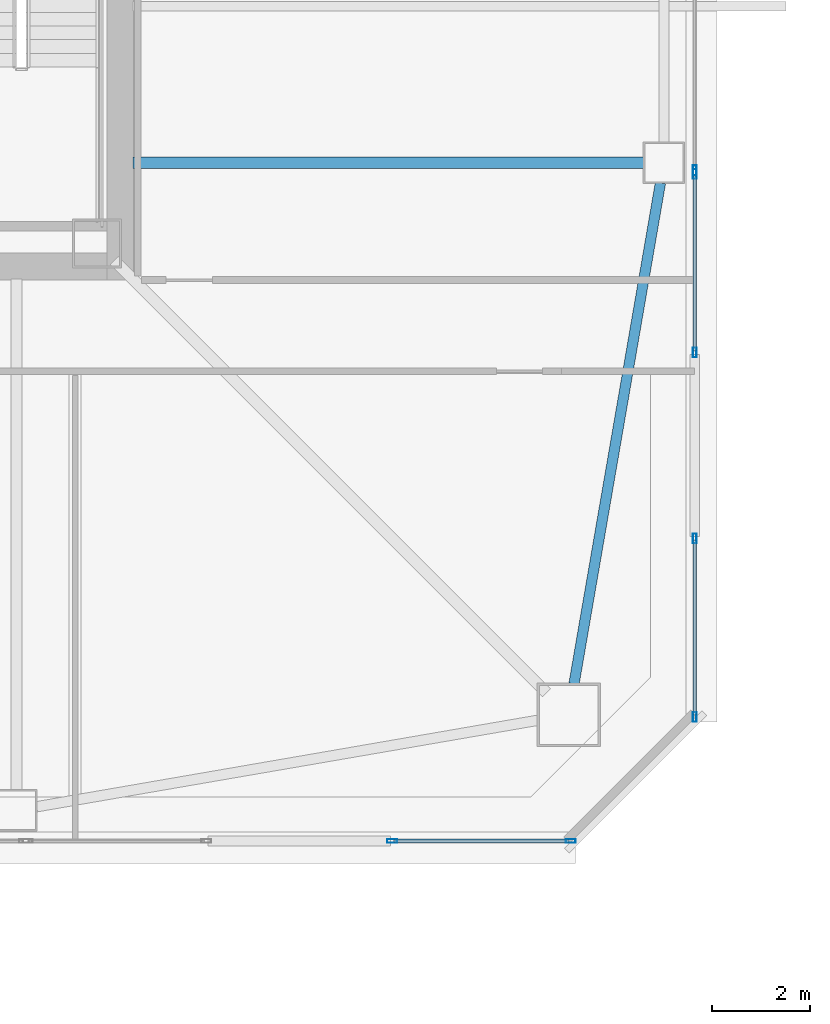
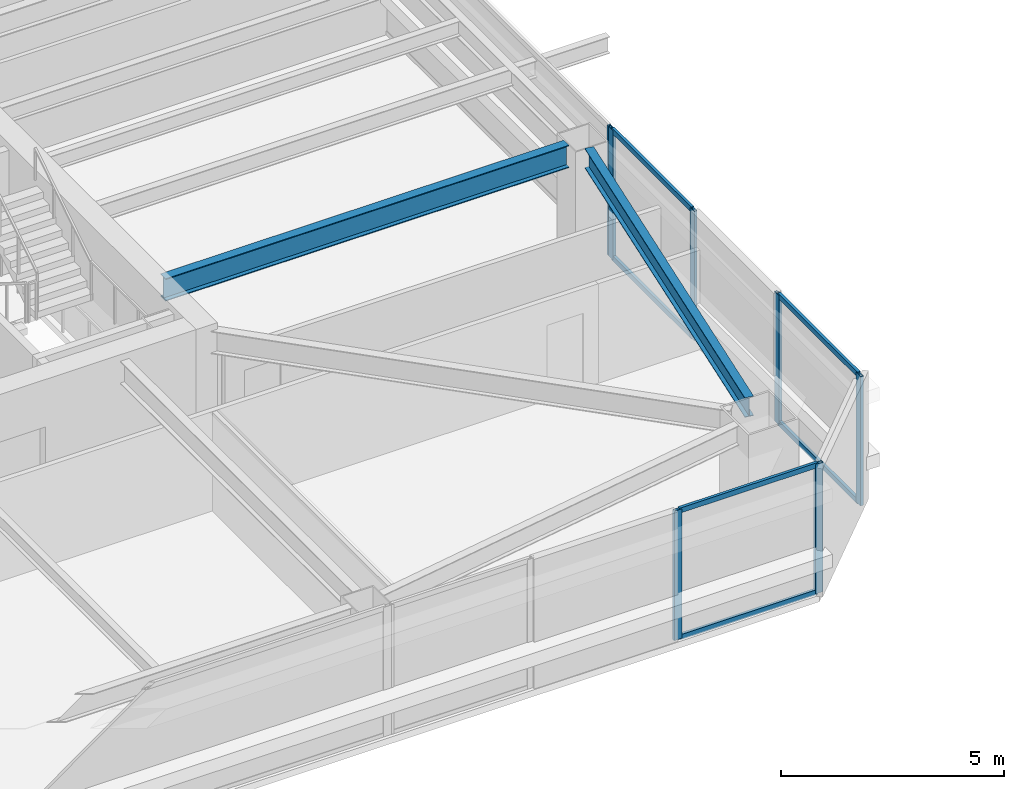
# One storey, part 10 of 46: 13 members, 2 beams, 4 elements without a shape of their own.
"""IFC4 building model written with IfcOpenShell, lengths in metres."""

import ifcopenshell
import ifcopenshell.guid

model = None  # the IFC model being written
_history = None  # IfcOwnerHistory: only IFC2X3 demands one
_inside = {}  # id of a spatial element -> (the spatial element, [elements in it])
_under = {}  # id of a project, library or spatial element -> (it, [spatial elements below it])
_declared = {}  # id of a project -> (the project, [libraries it declares])
_typed = {}  # id of a type object -> (the type object, [elements of that type])
_made_of = {}  # id of a material, layer set ... -> (it, [elements and type objects made of it])


def new_model(schema):
    """Start an empty IFC model of exactly this schema.

    Asked for "IFC4X3", IfcOpenShell would pick the latest addendum, in which some entities
    have other attributes; the version numbers below select the first issue.
    IFC2X3 requires an IfcOwnerHistory on every rooted entity: one is made here for all.
    """
    global model, _history
    if schema == "IFC4X3":
        model = ifcopenshell.file(schema_version=(4, 3, 0, 0))
    else:
        model = ifcopenshell.file(schema=schema)
    _inside.clear()
    _under.clear()
    _declared.clear()
    _typed.clear()
    _made_of.clear()
    _history = None
    if model.schema == "IFC2X3":
        org = make("IfcOrganization", Name="unknown")
        user = make(
            "IfcPersonAndOrganization",
            ThePerson=make("IfcPerson", FamilyName="unknown"),
            TheOrganization=org,
        )
        app = make(
            "IfcApplication",
            ApplicationDeveloper=org,
            Version="unknown",
            ApplicationFullName="unknown",
            ApplicationIdentifier="unknown",
        )
        _history = make(
            "IfcOwnerHistory",
            OwningUser=user,
            OwningApplication=app,
            ChangeAction="ADDED",
            CreationDate=0,
        )
    return model


def make(cls, **values):
    """One entity of the class cls with the attributes given. An attribute that is None is left unset."""
    return model.create_entity(
        cls, **{name: value for name, value in values.items() if value is not None}
    )


def rooted(cls, **values):
    """An entity with a GlobalId (a new one), such as an element, a storey or a relation."""
    return make(cls, GlobalId=ifcopenshell.guid.new(), OwnerHistory=_history, **values)


def si_unit(unit_type, name, prefix=None):
    """IfcSIUnit, for example si_unit("LENGTHUNIT", "METRE", prefix="MILLI")."""
    return make("IfcSIUnit", UnitType=unit_type, Prefix=prefix, Name=name)


def assignment(units):
    """IfcUnitAssignment: the units of a project."""
    return None if units is None else make("IfcUnitAssignment", Units=units)


def point(xyz):
    """IfcCartesianPoint."""
    return None if xyz is None else make("IfcCartesianPoint", Coordinates=xyz)


def direction(xyz):
    """IfcDirection."""
    return None if xyz is None else make("IfcDirection", DirectionRatios=xyz)


def frame(location, z_axis=None, x_axis=None):
    """IfcAxis2Placement3D, a coordinate frame: its origin and axes. An axis left out is left unset."""
    return make(
        "IfcAxis2Placement3D",
        Location=point(location),
        Axis=direction(z_axis),
        RefDirection=direction(x_axis),
    )


def frame_2d(location, x_axis=None):
    """IfcAxis2Placement2D, a coordinate frame in the plane: its origin and x axis."""
    return make(
        "IfcAxis2Placement2D", Location=point(location), RefDirection=direction(x_axis)
    )


def origin():
    """The frame at (0, 0, 0) with its axes left unset."""
    return frame((0.0, 0.0, 0.0))


def origin_2d():
    """The frame at (0, 0) in the plane with its x axis left unset."""
    return frame_2d((0.0, 0.0))


def place(relative_to, where):
    """IfcLocalPlacement: puts the frame where relative to a parent placement (None: the world)."""
    return make(
        "IfcLocalPlacement", PlacementRelTo=relative_to, RelativePlacement=where
    )


def context(
    kind, dimensions, precision=None, world=None, true_north=None, identifier=None
):
    """IfcGeometricRepresentationContext, for example the 3D "Model" context."""
    return make(
        "IfcGeometricRepresentationContext",
        ContextIdentifier=identifier,
        ContextType=kind,
        CoordinateSpaceDimension=dimensions,
        Precision=precision,
        WorldCoordinateSystem=world,
        TrueNorth=true_north,
    )


def subcontext(parent, identifier, kind, view, scale=None):
    """IfcGeometricRepresentationSubContext, for example "Body" below "Model"."""
    return make(
        "IfcGeometricRepresentationSubContext",
        ContextIdentifier=identifier,
        ContextType=kind,
        ParentContext=parent,
        TargetScale=scale,
        TargetView=view,
    )


def project(units=None, contexts=None):
    """IfcProject with its units and contexts."""
    return rooted(
        "IfcProject",
        Name="project",
        RepresentationContexts=contexts,
        UnitsInContext=assignment(units),
    )


def spatial(cls, under=None, at=None, **own):
    """A site, building, storey or space (cls), placed at a placement, below another one or the project."""
    s = rooted(cls, ObjectPlacement=at, **own)
    if under is not None:
        _under.setdefault(under.id(), (under, []))[1].append(s)
    return s


def profile(cls, at=None, kind="AREA", **sizes):
    """A parametric profile (cls). Its sizes go by their IFC names, for example OverallWidth=200.0."""
    return make(cls, ProfileType=kind, Position=at, **sizes)


def hollow_rectangle(**sizes):
    """IfcRectangleHollowProfileDef."""
    return profile("IfcRectangleHollowProfileDef", **sizes)


def i_section(**sizes):
    """IfcIShapeProfileDef."""
    return profile("IfcIShapeProfileDef", **sizes)


def extrude(swept, where, along, depth):
    """IfcExtrudedAreaSolid: the profile swept, set in the frame where, extruded along a direction by depth."""
    return make(
        "IfcExtrudedAreaSolid",
        SweptArea=swept,
        Position=where,
        ExtrudedDirection=direction(along),
        Depth=depth,
    )


def shape(context_of_items, identifier, shape_type, items):
    """IfcShapeRepresentation: the items that make up one representation, for example the "Body"."""
    return make(
        "IfcShapeRepresentation",
        ContextOfItems=context_of_items,
        RepresentationIdentifier=identifier,
        RepresentationType=shape_type,
        Items=items,
    )


def material(Name=None, Category=None):
    """IfcMaterial."""
    return make("IfcMaterial", Name=Name, Category=Category)


def material_profile(
    of_material, cross_section, Name=None, Category=None, Priority=None
):
    """IfcMaterialProfile: a cross section and its material."""
    return make(
        "IfcMaterialProfile",
        Name=Name,
        Material=of_material,
        Profile=cross_section,
        Priority=Priority,
        Category=Category,
    )


def profile_set(profiles, Name=None, composite=None):
    """IfcMaterialProfileSet."""
    return make(
        "IfcMaterialProfileSet",
        Name=Name,
        MaterialProfiles=profiles,
        CompositeProfile=composite,
    )


def made_of(thing, what):
    """Note that an element or type object is made of a material, layer set ...; save() writes the relation."""
    if what is not None:
        _made_of.setdefault(what.id(), (what, []))[1].append(thing)
    return thing


def type_object(cls, material=None, **own):
    """A type object (cls), such as IfcWallType, which elements share."""
    return made_of(rooted(cls, **own), material)


def element(
    cls,
    number,
    at=None,
    inside=None,
    cuts=None,
    type_object=None,
    material=None,
    context=None,
    identifier="Body",
    shape_type=None,
    held_by="IfcProductDefinitionShape",
    body=None,
    shapes=None,
    **own,
):
    """One element of the class cls, such as IfcWall. Its Tag is "e" and its number.

    at: its placement. inside: the storey or other place that contains it. cuts: it is an
    opening in that element (IfcRelVoidsElement). A single representation is given by context,
    identifier, shape_type and body (its items); several are given by shapes. held_by: the class
    of the entity that holds the representations. save() writes the other relations.
    """
    e = rooted(cls, Tag="e%d" % number, ObjectPlacement=at, **own)
    if body is not None:
        shapes = [shape(context, identifier, shape_type, body)]
    if shapes is not None:
        e.Representation = make(held_by, Representations=shapes)
    if inside is not None:
        _inside.setdefault(inside.id(), (inside, []))[1].append(e)
    if cuts is not None:
        rooted(
            "IfcRelVoidsElement", RelatingBuildingElement=cuts, RelatedOpeningElement=e
        )
    if type_object is not None:
        _typed.setdefault(type_object.id(), (type_object, []))[1].append(e)
    return made_of(e, material)


def aggregate(whole, parts):
    """IfcRelAggregates: a whole, such as a stair, and the parts it consists of."""
    return rooted("IfcRelAggregates", RelatingObject=whole, RelatedObjects=parts)


def save(model, path):
    """Write the relations noted so far, then the file.

    IfcRelAggregates (storeys below a building ...), IfcRelContainedInSpatialStructure (elements
    in a storey), IfcRelDefinesByType, IfcRelAssociatesMaterial and IfcRelDeclares: one each for
    every whole, place, type object, material and project.
    """
    for whole, parts in _under.values():
        aggregate(whole, parts)
    for where, things in _inside.values():
        rooted(
            "IfcRelContainedInSpatialStructure",
            RelatedElements=things,
            RelatingStructure=where,
        )
    for kind, things in _typed.values():
        rooted("IfcRelDefinesByType", RelatedObjects=things, RelatingType=kind)
    for what, things in _made_of.values():
        rooted("IfcRelAssociatesMaterial", RelatedObjects=things, RelatingMaterial=what)
    for by, libraries in _declared.values():
        rooted("IfcRelDeclares", RelatingContext=by, RelatedDefinitions=libraries)
    model.write(path)


model = new_model("IFC4")

# Units and contexts
model_context = context("Model", 3, precision=1e-05, world=origin(), true_north=direction((0.0, 1.0)))
body_context = subcontext(model_context, "Body", "Model", "MODEL_VIEW")
ifc_project = project(units=[si_unit("LENGTHUNIT", "METRE"), si_unit("AREAUNIT", "SQUARE_METRE"), si_unit("VOLUMEUNIT", "CUBIC_METRE"), si_unit("PLANEANGLEUNIT", "RADIAN"), si_unit("MASSUNIT", "GRAM", prefix="KILO")], contexts=[model_context])

# Site, building, storey
site_placement = place(None, origin())
site = spatial("IfcSite", under=ifc_project, at=site_placement, CompositionType="ELEMENT")
building_placement = place(site_placement, origin())
building = spatial("IfcBuilding", under=site, at=building_placement, Name="Tashvorn Skyway Center", CompositionType="ELEMENT")
storey_placement = place(building_placement, frame((0.0, 0.0, 139.25)))
storey = spatial("IfcBuildingStorey", under=building, at=storey_placement, Name="L37", CompositionType="ELEMENT", Elevation=139.25)

# Beams
ifc_material_1 = material(Name="Steel ASTM A992 Grade 50", Category="steel")
ifc_material_profile_1 = material_profile(ifc_material_1, i_section(OverallWidth=0.22998046875, OverallDepth=0.616943359375, WebThickness=0.01318359375, FlangeThickness=0.022216796875, at=origin_2d()), Name="W24X94")
ifc_profile_set_1 = profile_set([ifc_material_profile_1], Name="Steel ASTM A992 Grade 50")
beam_type_1 = type_object("IfcBeamType", Name="BM-BEAM-W24X94", PredefinedType="BEAM", material=ifc_profile_set_1)
beam_1_placement = place(storey_placement, frame((60.22998046875, 26.60009765625, 3.0615234375), z_axis=(-1.0, 0.0, 0.0), x_axis=(0.0, -1.0, 0.0)))
element("IfcBeam", 1, at=beam_1_placement, inside=storey, type_object=beam_type_1, Name="Tower 1 L37 Primary Floor Girder FC-E1", PredefinedType="BEAM", context=body_context, shape_type="SweptSolid", body=[
    extrude(i_section(OverallWidth=0.22998046875, OverallDepth=0.616943359375, WebThickness=0.01318359375, FlangeThickness=0.022216796875, at=origin_2d()), origin(), (0.0, 0.0, 1.0), 10.449951171875),
])
ifc_material_profile_2 = material_profile(ifc_material_1, i_section(OverallWidth=0.2109375, OverallDepth=0.5390625, WebThickness=0.01171875, FlangeThickness=0.018798828125, at=origin_2d()), Name="W21X73")
ifc_profile_set_2 = profile_set([ifc_material_profile_2], Name="Steel ASTM A992 Grade 50")
beam_type_2 = type_object("IfcBeamType", Name="BM-SPANDREL-W21X73", PredefinedType="SPANDREL", material=ifc_profile_set_2)
beam_2_placement = place(storey_placement, frame((58.8095703125, 15.935546875, 3.1005859375), z_axis=(0.170067250846, 0.985432458462, 0.0), x_axis=(-0.985432458462, 0.170067250846, 0.0)))
element("IfcBeam", 2, at=beam_2_placement, inside=storey, type_object=beam_type_2, Name="Tower 1 L37 Spandrel Beam 04", PredefinedType="SPANDREL", context=body_context, shape_type="SweptSolid", body=[
    extrude(i_section(OverallWidth=0.2109375, OverallDepth=0.5390625, WebThickness=0.01171875, FlangeThickness=0.018798828125, at=origin_2d()), origin(), (0.0, 0.0, 1.0), 10.402099609375),
])

# Curtain wall, members
ifc_material_2 = material(Name="Thermally broken bronze-anodized aluminium 6063-T6", Category="aluminium")
curtain_wall_type = type_object("IfcCurtainWallType", Name="CW-CW-Z3", PredefinedType="NOTDEFINED", material=ifc_material_2)
curtain_wall_1_placement = place(storey_placement, origin())
curtain_wall_1 = element("IfcCurtainWall", 3, at=curtain_wall_1_placement, inside=storey, type_object=curtain_wall_type, Name="Tower 1 L37 South Unitised Curtain Wall Glazing Group 1", PredefinedType="NOTDEFINED")
ifc_material_profile_3 = material_profile(ifc_material_2, hollow_rectangle(XDim=0.074951171875, YDim=0.199951171875, WallThickness=0.00439453125, at=origin_2d()), Name="ALU-MULL-75x200")
ifc_profile_set_3 = profile_set([ifc_material_profile_3], Name="Thermally broken bronze-anodized aluminium 6063-T6")
member_type_1 = type_object("IfcMemberType", Name="CWM-CW-Z3", PredefinedType="MULLION", material=ifc_profile_set_3)
member_1_placement = place(storey_placement, frame((58.742431640625, 12.719970703125, 0.0), z_axis=(0.0, 0.0, 1.0), x_axis=(0.0, -1.0, 0.0)))
member_1 = element("IfcMember", 4, at=member_1_placement, type_object=member_type_1, Name="CW-Z3 mullion 1", PredefinedType="MULLION", context=body_context, shape_type="SweptSolid", body=[
    extrude(hollow_rectangle(XDim=0.074951171875, YDim=0.199951171875, WallThickness=0.00439453125, at=origin_2d()), origin(), (0.0, 0.0, 1.0), 3.550048828125),
])
member_2_placement = place(storey_placement, frame((55.088623046875, 12.719970703125, 0.0), z_axis=(0.0, 0.0, 1.0), x_axis=(0.0, -1.0, 0.0)))
member_2 = element("IfcMember", 5, at=member_2_placement, type_object=member_type_1, Name="CW-Z3 mullion 2", PredefinedType="MULLION", context=body_context, shape_type="SweptSolid", body=[
    extrude(hollow_rectangle(XDim=0.074951171875, YDim=0.199951171875, WallThickness=0.00439453125, at=origin_2d()), origin(), (0.0, 0.0, 1.0), 3.550048828125),
])

# Curtain wall, member
curtain_wall_2_placement = place(storey_placement, origin())
curtain_wall_2 = element("IfcCurtainWall", 6, at=curtain_wall_2_placement, inside=storey, type_object=curtain_wall_type, Name="Tower 1 L37 East Unitised Curtain Wall Glazing Group 3", PredefinedType="NOTDEFINED")
member_3_placement = place(storey_placement, frame((61.280029296875, 26.444091796875, 0.0), z_axis=(0.0, 0.0, 1.0), x_axis=(1.0, 0.0, 0.0)))
member_3 = element("IfcMember", 7, at=member_3_placement, type_object=member_type_1, Name="CW-Z3 mullion 2", PredefinedType="MULLION", context=body_context, shape_type="SweptSolid", body=[
    extrude(hollow_rectangle(XDim=0.074951171875, YDim=0.199951171875, WallThickness=0.00439453125, at=origin_2d()), origin(), (0.0, 0.0, 1.0), 3.550048828125),
])
aggregate(curtain_wall_2, [member_3])

# Curtain wall, members
curtain_wall_3_placement = place(storey_placement, origin())
curtain_wall_3 = element("IfcCurtainWall", 8, at=curtain_wall_3_placement, inside=storey, type_object=curtain_wall_type, Name="Tower 1 L37 East Unitised Curtain Wall Glazing Group 4", PredefinedType="NOTDEFINED")
member_4_placement = place(storey_placement, frame((61.280029296875, 26.369140625, 0.0), z_axis=(0.0, 0.0, 1.0), x_axis=(1.0, 0.0, 0.0)))
member_4 = element("IfcMember", 9, at=member_4_placement, type_object=member_type_1, Name="CW-Z3 mullion 1", PredefinedType="MULLION", context=body_context, shape_type="SweptSolid", body=[
    extrude(hollow_rectangle(XDim=0.074951171875, YDim=0.199951171875, WallThickness=0.00439453125, at=origin_2d()), origin(), (0.0, 0.0, 1.0), 3.550048828125),
])
member_5_placement = place(storey_placement, frame((61.280029296875, 22.71533203125, 0.0), z_axis=(0.0, 0.0, 1.0), x_axis=(1.0, 0.0, 0.0)))
member_5 = element("IfcMember", 10, at=member_5_placement, type_object=member_type_1, Name="CW-Z3 mullion 2", PredefinedType="MULLION", context=body_context, shape_type="SweptSolid", body=[
    extrude(hollow_rectangle(XDim=0.074951171875, YDim=0.199951171875, WallThickness=0.00439453125, at=origin_2d()), origin(), (0.0, 0.0, 1.0), 3.550048828125),
])

curtain_wall_4_placement = place(storey_placement, origin())
curtain_wall_4 = element("IfcCurtainWall", 11, at=curtain_wall_4_placement, inside=storey, type_object=curtain_wall_type, Name="Tower 1 L37 East Unitised Curtain Wall Glazing Group 5", PredefinedType="NOTDEFINED")
member_6_placement = place(storey_placement, frame((61.280029296875, 18.911376953125, 0.0), z_axis=(0.0, 0.0, 1.0), x_axis=(1.0, 0.0, 0.0)))
member_6 = element("IfcMember", 12, at=member_6_placement, type_object=member_type_1, Name="CW-Z3 mullion 1", PredefinedType="MULLION", context=body_context, shape_type="SweptSolid", body=[
    extrude(hollow_rectangle(XDim=0.074951171875, YDim=0.199951171875, WallThickness=0.00439453125, at=origin_2d()), origin(), (0.0, 0.0, 1.0), 3.550048828125),
])
member_7_placement = place(storey_placement, frame((61.280029296875, 15.257568359375, 0.0), z_axis=(0.0, 0.0, 1.0), x_axis=(1.0, 0.0, 0.0)))
member_7 = element("IfcMember", 13, at=member_7_placement, type_object=member_type_1, Name="CW-Z3 mullion 2", PredefinedType="MULLION", context=body_context, shape_type="SweptSolid", body=[
    extrude(hollow_rectangle(XDim=0.074951171875, YDim=0.199951171875, WallThickness=0.00439453125, at=origin_2d()), origin(), (0.0, 0.0, 1.0), 3.550048828125),
])

# Member
ifc_material_profile_4 = material_profile(ifc_material_2, hollow_rectangle(XDim=0.074951171875, YDim=0.139892578125, WallThickness=0.004150390625, at=origin_2d()), Name="ALU-TRAN-75x140")
ifc_profile_set_4 = profile_set([ifc_material_profile_4], Name="Thermally broken bronze-anodized aluminium 6063-T6")
member_type_2 = type_object("IfcMemberType", Name="CWT-CW-Z3", PredefinedType="USERDEFINED", material=ifc_profile_set_4)
member_8_placement = place(storey_placement, frame((58.705078125, 12.719970703125, 0.03759765625), z_axis=(-1.0, 0.0, 0.0), x_axis=(0.0, -1.0, 0.0)))
member_8 = element("IfcMember", 14, at=member_8_placement, type_object=member_type_2, Name="CW-Z3 transom 1.1", ObjectType="TRANSOM", PredefinedType="USERDEFINED", context=body_context, shape_type="SweptSolid", body=[
    extrude(hollow_rectangle(XDim=0.074951171875, YDim=0.139892578125, WallThickness=0.004150390625, at=origin_2d()), origin(), (0.0, 0.0, 1.0), 3.578857421875),
])

member_9_placement = place(storey_placement, frame((58.705078125, 12.719970703125, 3.512451171875), z_axis=(-1.0, 0.0, 0.0), x_axis=(0.0, -1.0, 0.0)))
member_9 = element("IfcMember", 15, at=member_9_placement, type_object=member_type_2, Name="CW-Z3 transom 1.2", ObjectType="TRANSOM", PredefinedType="USERDEFINED", context=body_context, shape_type="SweptSolid", body=[
    extrude(hollow_rectangle(XDim=0.074951171875, YDim=0.139892578125, WallThickness=0.004150390625, at=origin_2d()), origin(), (0.0, 0.0, 1.0), 3.578857421875),
])

aggregate(curtain_wall_1, [member_1, member_2, member_8, member_9])

member_10_placement = place(storey_placement, frame((61.280029296875, 26.331787109375, 0.03759765625), z_axis=(0.0, -1.0, 0.0), x_axis=(1.0, 0.0, 0.0)))
member_10 = element("IfcMember", 16, at=member_10_placement, type_object=member_type_2, Name="CW-Z3 transom 1.1", ObjectType="TRANSOM", PredefinedType="USERDEFINED", context=body_context, shape_type="SweptSolid", body=[
    extrude(hollow_rectangle(XDim=0.074951171875, YDim=0.139892578125, WallThickness=0.004150390625, at=origin_2d()), origin(), (0.0, 0.0, 1.0), 3.5791015625),
])

member_11_placement = place(storey_placement, frame((61.280029296875, 26.331787109375, 3.512451171875), z_axis=(0.0, -1.0, 0.0), x_axis=(1.0, 0.0, 0.0)))
member_11 = element("IfcMember", 17, at=member_11_placement, type_object=member_type_2, Name="CW-Z3 transom 1.2", ObjectType="TRANSOM", PredefinedType="USERDEFINED", context=body_context, shape_type="SweptSolid", body=[
    extrude(hollow_rectangle(XDim=0.074951171875, YDim=0.139892578125, WallThickness=0.004150390625, at=origin_2d()), origin(), (0.0, 0.0, 1.0), 3.5791015625),
])

aggregate(curtain_wall_3, [member_4, member_5, member_10, member_11])

member_12_placement = place(storey_placement, frame((61.280029296875, 18.873779296875, 0.03759765625), z_axis=(0.0, -1.0, 0.0), x_axis=(1.0, 0.0, 0.0)))
member_12 = element("IfcMember", 18, at=member_12_placement, type_object=member_type_2, Name="CW-Z3 transom 1.1", ObjectType="TRANSOM", PredefinedType="USERDEFINED", context=body_context, shape_type="SweptSolid", body=[
    extrude(hollow_rectangle(XDim=0.074951171875, YDim=0.139892578125, WallThickness=0.004150390625, at=origin_2d()), origin(), (0.0, 0.0, 1.0), 3.578857421875),
])

member_13_placement = place(storey_placement, frame((61.280029296875, 18.873779296875, 3.512451171875), z_axis=(0.0, -1.0, 0.0), x_axis=(1.0, 0.0, 0.0)))
member_13 = element("IfcMember", 19, at=member_13_placement, type_object=member_type_2, Name="CW-Z3 transom 1.2", ObjectType="TRANSOM", PredefinedType="USERDEFINED", context=body_context, shape_type="SweptSolid", body=[
    extrude(hollow_rectangle(XDim=0.074951171875, YDim=0.139892578125, WallThickness=0.004150390625, at=origin_2d()), origin(), (0.0, 0.0, 1.0), 3.578857421875),
])

aggregate(curtain_wall_4, [member_6, member_7, member_12, member_13])

save(model, "model.ifc")
